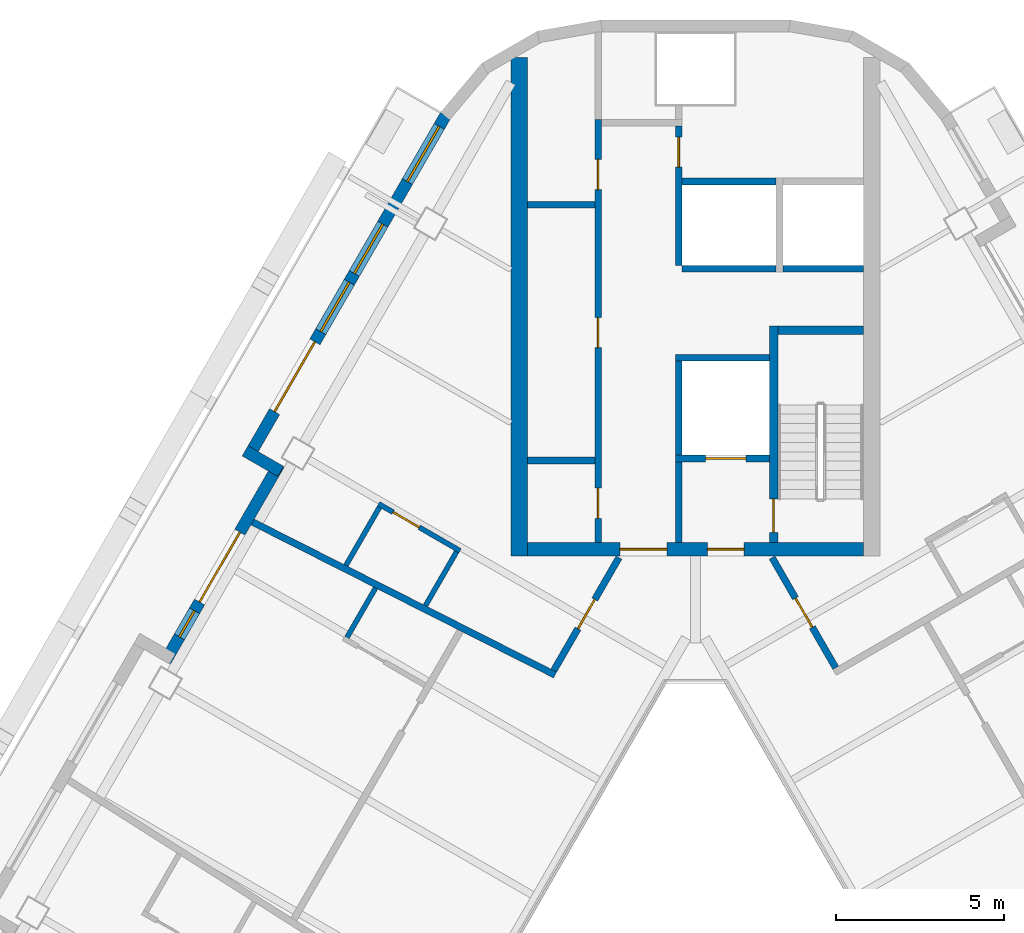
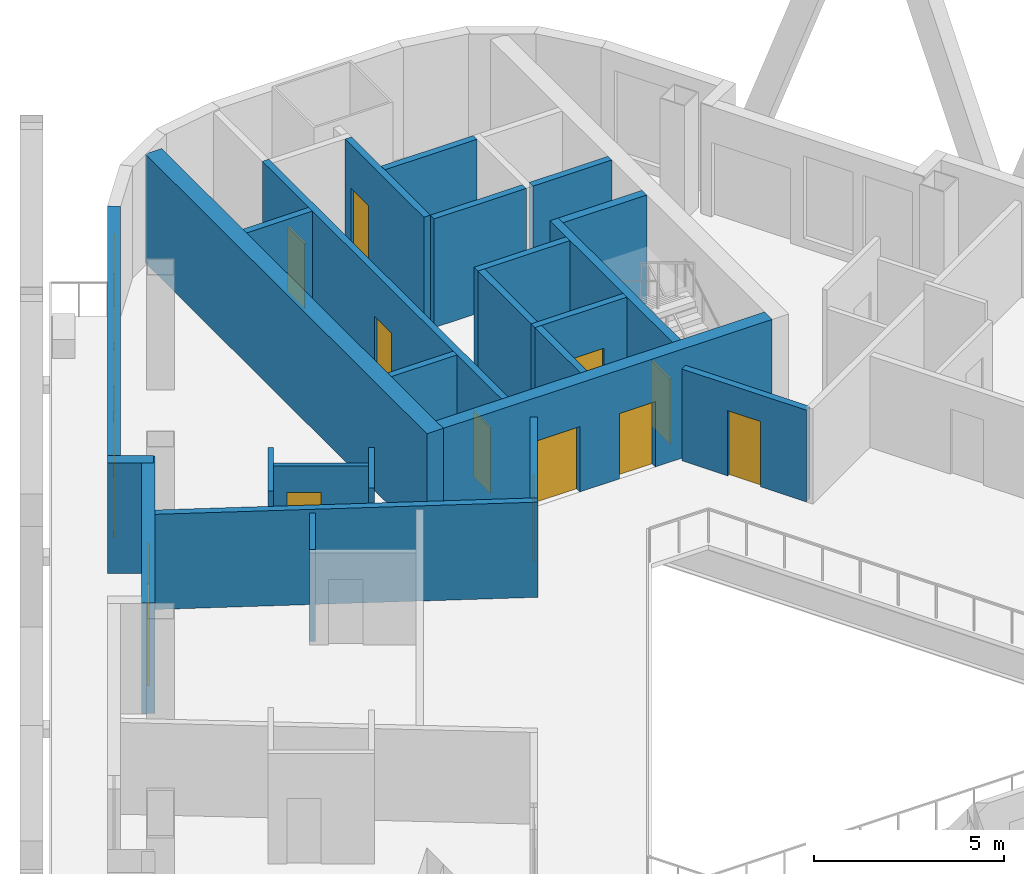
# One storey, part 6 of 13: 25 walls, 13 doors, 4 windows, 17 openings.
"""IFC4 building model written with IfcOpenShell, lengths in metres."""

from ifc_helpers import new_model, si_unit, direction, frame, frame_2d, origin, place, context, subcontext, project, spatial, rectangle, extrude, material, layer, layer_set, type_object, element, fill, save


model = new_model("IFC4")

# Units and contexts
model_context = context("Model", 3, precision=1e-05, world=origin(), true_north=direction((0.0, 1.0)))
body_context = subcontext(model_context, "Body", "Model", "MODEL_VIEW")
ifc_project = project(units=[si_unit("LENGTHUNIT", "METRE"), si_unit("AREAUNIT", "SQUARE_METRE"), si_unit("VOLUMEUNIT", "CUBIC_METRE"), si_unit("PLANEANGLEUNIT", "RADIAN"), si_unit("MASSUNIT", "GRAM", prefix="KILO")], contexts=[model_context])

# Site, building, storey
site_placement = place(None, origin())
site = spatial("IfcSite", under=ifc_project, at=site_placement, CompositionType="ELEMENT")
building_placement = place(site_placement, origin())
building = spatial("IfcBuilding", under=site, at=building_placement, Name="Apuvela Tower Hotel", CompositionType="ELEMENT")
storey_placement = place(building_placement, frame((0.0, 0.0, 191.0)))
storey = spatial("IfcBuildingStorey", under=building, at=storey_placement, Name="L46", CompositionType="ELEMENT", Elevation=191.0)

# Wall, openings, doors
ifc_material_1 = material(Name="Concrete C50/60", Category="concrete")
ifc_layer_1 = layer(ifc_material_1, 0.39990234375)
ifc_layer_set_1 = layer_set([ifc_layer_1], Name="COR-WALL-CORE-400")
wall_type_1 = type_object("IfcWallType", Name="COR-WALL-CORE-400", PredefinedType="SHEAR", material=ifc_layer_set_1)
wall_1_placement = place(storey_placement, frame((5.0, 13.10009765625, 0.0), z_axis=(0.0, 0.0, 1.0), x_axis=(-1.0, 0.0, 0.0)))
wall_1 = element("IfcWall", 1, at=wall_1_placement, inside=storey, type_object=wall_type_1, Name="Core wall N", PredefinedType="SHEAR", context=body_context, shape_type="SweptSolid", body=[
    extrude(rectangle(XDim=10.0, YDim=0.39990234375, at=frame_2d((5.0, 0.0))), origin(), (0.0, 0.0, 1.0), 3.5),
])
opening_1_placement = place(wall_1_placement, frame((3.550048828125, 0.0, 0.0)))
opening_1 = element("IfcOpeningElement", 2, at=opening_1_placement, cuts=wall_1, Name="Opening N-FD", PredefinedType="OPENING", context=body_context, shape_type="SweptSolid", body=[
    extrude(rectangle(XDim=1.10009765625, YDim=2.10009765625, at=frame_2d((0.550048828125, 1.050048828125))), frame((0.0, 0.2099609375, 0.0), z_axis=(0.0, -1.0, 0.0), x_axis=(1.0, 0.0, 0.0)), (0.0, 0.0, 1.0), 0.419921875),
])
opening_2_placement = place(wall_1_placement, frame((5.85009765625, 0.0, 0.0)))
opening_2 = element("IfcOpeningElement", 3, at=opening_2_placement, cuts=wall_1, Name="Opening N-GD", PredefinedType="OPENING", context=body_context, shape_type="SweptSolid", body=[
    extrude(rectangle(XDim=1.39990234375, YDim=2.10009765625, at=frame_2d((0.699951171875, 1.050048828125))), frame((0.0, 0.2099609375, 0.0), z_axis=(0.0, -1.0, 0.0), x_axis=(1.0, 0.0, 0.0)), (0.0, 0.0, 1.0), 0.419921875),
])
ifc_material_2 = material(Name="Steel fire door, powder coated", Category="steel")
door_type_1 = type_object("IfcDoorType", Name="COR-FD-1100", OperationType="NOTDEFINED", PredefinedType="DOOR", material=ifc_material_2)
door_1_placement = place(opening_1_placement, frame((1.10009765625, 0.0, 0.0), z_axis=(0.0, 0.0, 1.0), x_axis=(-1.0, 0.0, 0.0)))
door_1 = element("IfcDoor", 4, at=door_1_placement, inside=storey, type_object=door_type_1, Name="Firefighting lobby door N-FD", OperationType="SINGLE_SWING_LEFT", OverallHeight=2.10009765625, OverallWidth=1.10009765625, PredefinedType="DOOR", context=body_context, shape_type="SweptSolid", body=[
    extrude(rectangle(XDim=1.10009765625, YDim=2.10009765625, at=frame_2d((0.550048828125, 1.050048828125))), frame((0.0, 0.02490234375, 0.0), z_axis=(0.0, -1.0, 0.0), x_axis=(1.0, 0.0, 0.0)), (0.0, 0.0, 1.0), 0.050048828125),
])
fill(opening_1, door_1)
ifc_material_3 = material(Name="Glazed steel fire door", Category="steel")
door_type_2 = type_object("IfcDoorType", Name="COR-GD-1400", OperationType="DOUBLE_DOOR_SINGLE_SWING", PredefinedType="DOOR", material=ifc_material_3)
door_2_placement = place(opening_2_placement, frame((1.39990234375, 0.0, 0.0), z_axis=(0.0, 0.0, 1.0), x_axis=(-1.0, 0.0, 0.0)))
door_2 = element("IfcDoor", 5, at=door_2_placement, inside=storey, type_object=door_type_2, Name="Lift lobby door N-GD", OperationType="DOUBLE_DOOR_SINGLE_SWING", OverallHeight=2.10009765625, OverallWidth=1.39990234375, PredefinedType="DOOR", context=body_context, shape_type="SweptSolid", body=[
    extrude(rectangle(XDim=1.39990234375, YDim=2.10009765625, at=frame_2d((0.699951171875, 1.050048828125))), frame((0.0, 0.02490234375, 0.0), z_axis=(0.0, -1.0, 0.0), x_axis=(1.0, 0.0, 0.0)), (0.0, 0.0, 1.0), 0.050048828125),
])
fill(opening_2, door_2)

# Walls
ifc_layer_2 = layer(ifc_material_1, 0.5)
ifc_layer_set_2 = layer_set([ifc_layer_2], Name="COR-WALL-CORE-500")
wall_type_2 = type_object("IfcWallType", Name="COR-WALL-CORE-500", PredefinedType="SHEAR", material=ifc_layer_set_2)
wall_2_placement = place(storey_placement, frame((-5.25, 12.89990234375, 0.0), z_axis=(0.0, 0.0, 1.0), x_axis=(0.0, 1.0, 0.0)))
element("IfcWall", 6, at=wall_2_placement, inside=storey, type_object=wall_type_2, Name="Core wall N", PredefinedType="SHEAR", context=body_context, shape_type="SweptSolid", body=[
    extrude(rectangle(XDim=14.8369140625, YDim=0.5, at=frame_2d((7.41845703125, 0.0))), origin(), (0.0, 0.0, 1.0), 3.5),
])
ifc_material_4 = material(Name="Blockwork 200 mm plastered", Category="masonry")
ifc_layer_3 = layer(ifc_material_4, 0.199951171875)
ifc_layer_set_3 = layer_set([ifc_layer_3], Name="COR-WALL-PART-200")
wall_type_3 = type_object("IfcWallType", Name="COR-WALL-PART-200", PredefinedType="PARTITIONING", material=ifc_layer_set_3)
wall_3_placement = place(storey_placement, frame((5.0, 21.449951171875, 0.0), z_axis=(0.0, 0.0, 1.0), x_axis=(-1.0, 0.0, 0.0)))
element("IfcWall", 7, at=wall_3_placement, inside=storey, type_object=wall_type_3, Name="Partition N", PredefinedType="PARTITIONING", context=body_context, shape_type="SweptSolid", body=[
    extrude(rectangle(XDim=2.39990234375, YDim=0.199951171875, at=frame_2d((1.199951171875, 0.0))), origin(), (0.0, 0.0, 1.0), 3.5),
])
wall_4_placement = place(storey_placement, frame((2.39990234375, 21.449951171875, 0.0), z_axis=(0.0, 0.0, 1.0), x_axis=(-1.0, 0.0, 0.0)))
element("IfcWall", 8, at=wall_4_placement, inside=storey, type_object=wall_type_3, Name="Partition N", PredefinedType="PARTITIONING", context=body_context, shape_type="SweptSolid", body=[
    extrude(rectangle(XDim=2.7998046875, YDim=0.199951171875, at=frame_2d((1.39990234375, 0.0))), origin(), (0.0, 0.0, 1.0), 3.5),
])
ifc_layer_4 = layer(ifc_material_1, 0.199951171875)
ifc_layer_set_4 = layer_set([ifc_layer_4], Name="COR-WALL-SHAFT-200")
wall_type_4 = type_object("IfcWallType", Name="COR-WALL-SHAFT-200", PredefinedType="SHEAR", material=ifc_layer_set_4)
wall_5_placement = place(storey_placement, frame((2.199951171875, 18.800048828125, 0.0), z_axis=(0.0, 0.0, 1.0), x_axis=(-1.0, 0.0, 0.0)))
element("IfcWall", 9, at=wall_5_placement, inside=storey, type_object=wall_type_4, Name="Shaft wall N", PredefinedType="SHEAR", context=body_context, shape_type="SweptSolid", body=[
    extrude(rectangle(XDim=2.800048828125, YDim=0.199951171875, at=frame_2d((1.39990234375, 0.0))), origin(), (0.0, 0.0, 1.0), 3.5),
])

# Wall, opening, door
wall_6_placement = place(storey_placement, frame((2.199951171875, 15.800048828125, 0.0), z_axis=(0.0, 0.0, 1.0), x_axis=(-1.0, 0.0, 0.0)))
wall_6 = element("IfcWall", 10, at=wall_6_placement, inside=storey, type_object=wall_type_4, Name="Shaft wall N", PredefinedType="SHEAR", context=body_context, shape_type="SweptSolid", body=[
    extrude(rectangle(XDim=2.800048828125, YDim=0.199951171875, at=frame_2d((1.39990234375, 0.0))), origin(), (0.0, 0.0, 1.0), 3.5),
])
opening_3_placement = place(wall_6_placement, frame((0.699951171875, 0.0, 0.0)))
opening_3 = element("IfcOpeningElement", 11, at=opening_3_placement, cuts=wall_6, Name="Opening N-LD-FS1", PredefinedType="OPENING", context=body_context, shape_type="SweptSolid", body=[
    extrude(rectangle(XDim=1.199951171875, YDim=2.10009765625, at=frame_2d((0.60009765625, 1.050048828125))), frame((0.0, 0.10986328125, 0.0), z_axis=(0.0, -1.0, 0.0), x_axis=(1.0, 0.0, 0.0)), (0.0, 0.0, 1.0), 0.219970703125),
])
ifc_material_5 = material(Name="Stainless steel lift landing door", Category="steel")
door_type_3 = type_object("IfcDoorType", Name="COR-LD-1200", OperationType="DOUBLE_DOOR_SLIDING", PredefinedType="DOOR", material=ifc_material_5)
door_3_placement = place(opening_3_placement, origin())
door_3 = element("IfcDoor", 12, at=door_3_placement, inside=storey, type_object=door_type_3, Name="Lift landing door N-LD-FS1", OperationType="DOUBLE_DOOR_SLIDING", OverallHeight=2.10009765625, OverallWidth=1.199951171875, PredefinedType="DOOR", context=body_context, shape_type="SweptSolid", body=[
    extrude(rectangle(XDim=1.199951171875, YDim=2.10009765625, at=frame_2d((0.60009765625, 1.050048828125))), frame((0.0, 0.02490234375, 0.0), z_axis=(0.0, -1.0, 0.0), x_axis=(1.0, 0.0, 0.0)), (0.0, 0.0, 1.0), 0.050048828125),
])
fill(opening_3, door_3)

# Walls
wall_7_placement = place(storey_placement, frame((-0.5, 15.89990234375, 0.0), z_axis=(0.0, 0.0, 1.0), x_axis=(0.0, 1.0, 0.0)))
element("IfcWall", 13, at=wall_7_placement, inside=storey, type_object=wall_type_4, Name="Shaft wall N", PredefinedType="SHEAR", context=body_context, shape_type="SweptSolid", body=[
    extrude(rectangle(XDim=2.800048828125, YDim=0.199951171875, at=frame_2d((1.39990234375, 0.0))), origin(), (0.0, 0.0, 1.0), 3.5),
])
wall_8_placement = place(storey_placement, frame((-0.5, 13.300048828125, 0.0), z_axis=(0.0, 0.0, 1.0), x_axis=(0.0, 1.0, 0.0)))
element("IfcWall", 14, at=wall_8_placement, inside=storey, type_object=wall_type_4, Name="Shaft wall N", PredefinedType="SHEAR", context=body_context, shape_type="SweptSolid", body=[
    extrude(rectangle(XDim=2.39990234375, YDim=0.199951171875, at=frame_2d((1.199951171875, 0.0))), origin(), (0.0, 0.0, 1.0), 3.5),
])

# Wall, openings, doors
wall_9_placement = place(storey_placement, frame((-2.89990234375, 13.300048828125, 0.0), z_axis=(0.0, 0.0, 1.0), x_axis=(0.0, 1.0, 0.0)))
wall_9 = element("IfcWall", 15, at=wall_9_placement, inside=storey, type_object=wall_type_4, Name="Shaft wall N", PredefinedType="SHEAR", context=body_context, shape_type="SweptSolid", body=[
    extrude(rectangle(XDim=12.599853515625, YDim=0.199951171875, at=frame_2d((6.2998046875, 0.0))), origin(), (0.0, 0.0, 1.0), 3.5),
])
opening_4_placement = place(wall_9_placement, frame((0.719970703125, 0.0, 0.0)))
opening_4 = element("IfcOpeningElement", 16, at=opening_4_placement, cuts=wall_9, Name="Opening N-RE1", PredefinedType="OPENING", context=body_context, shape_type="SweptSolid", body=[
    extrude(rectangle(XDim=0.89990234375, YDim=2.10009765625, at=frame_2d((0.449951171875, 1.050048828125))), frame((0.0, 0.10986328125, 0.0), z_axis=(0.0, -1.0, 0.0), x_axis=(1.0, 0.0, 0.0)), (0.0, 0.0, 1.0), 0.219970703125),
])
opening_5_placement = place(wall_9_placement, frame((5.800048828125, 0.0, 0.0)))
opening_5 = element("IfcOpeningElement", 17, at=opening_5_placement, cuts=wall_9, Name="Opening N-RE2", PredefinedType="OPENING", context=body_context, shape_type="SweptSolid", body=[
    extrude(rectangle(XDim=0.89990234375, YDim=2.10009765625, at=frame_2d((0.449951171875, 1.050048828125))), frame((0.0, 0.10986328125, 0.0), z_axis=(0.0, -1.0, 0.0), x_axis=(1.0, 0.0, 0.0)), (0.0, 0.0, 1.0), 0.219970703125),
])
opening_6_placement = place(wall_9_placement, frame((10.510009765625, 0.0, 0.0)))
opening_6 = element("IfcOpeningElement", 18, at=opening_6_placement, cuts=wall_9, Name="Opening N-REP", PredefinedType="OPENING", context=body_context, shape_type="SweptSolid", body=[
    extrude(rectangle(XDim=0.89990234375, YDim=2.10009765625, at=frame_2d((0.449951171875, 1.050048828125))), frame((0.0, 0.10986328125, 0.0), z_axis=(0.0, -1.0, 0.0), x_axis=(1.0, 0.0, 0.0)), (0.0, 0.0, 1.0), 0.219970703125),
])
door_type_4 = type_object("IfcDoorType", Name="COR-DR-900", OperationType="NOTDEFINED", PredefinedType="DOOR", material=ifc_material_2)
door_4_placement = place(opening_4_placement, origin())
door_4 = element("IfcDoor", 19, at=door_4_placement, inside=storey, type_object=door_type_4, Name="Store door N-RE1", OperationType="SINGLE_SWING_LEFT", OverallHeight=2.10009765625, OverallWidth=0.89990234375, PredefinedType="DOOR", context=body_context, shape_type="SweptSolid", body=[
    extrude(rectangle(XDim=0.89990234375, YDim=2.10009765625, at=frame_2d((0.449951171875, 1.050048828125))), frame((0.0, 0.02490234375, 0.0), z_axis=(0.0, -1.0, 0.0), x_axis=(1.0, 0.0, 0.0)), (0.0, 0.0, 1.0), 0.050048828125),
])
fill(opening_4, door_4)
door_5_placement = place(opening_5_placement, origin())
door_5 = element("IfcDoor", 20, at=door_5_placement, inside=storey, type_object=door_type_4, Name="Store door N-RE2", OperationType="SINGLE_SWING_RIGHT", OverallHeight=2.10009765625, OverallWidth=0.89990234375, PredefinedType="DOOR", context=body_context, shape_type="SweptSolid", body=[
    extrude(rectangle(XDim=0.89990234375, YDim=2.10009765625, at=frame_2d((0.449951171875, 1.050048828125))), frame((0.0, 0.02490234375, 0.0), z_axis=(0.0, -1.0, 0.0), x_axis=(1.0, 0.0, 0.0)), (0.0, 0.0, 1.0), 0.050048828125),
])
fill(opening_5, door_5)
door_6_placement = place(opening_6_placement, origin())
door_6 = element("IfcDoor", 21, at=door_6_placement, inside=storey, type_object=door_type_4, Name="Store door N-REP", OperationType="SINGLE_SWING_RIGHT", OverallHeight=2.10009765625, OverallWidth=0.89990234375, PredefinedType="DOOR", context=body_context, shape_type="SweptSolid", body=[
    extrude(rectangle(XDim=0.89990234375, YDim=2.10009765625, at=frame_2d((0.449951171875, 1.050048828125))), frame((0.0, 0.02490234375, 0.0), z_axis=(0.0, -1.0, 0.0), x_axis=(1.0, 0.0, 0.0)), (0.0, 0.0, 1.0), 0.050048828125),
])
fill(opening_6, door_6)

# Wall, opening, door
wall_10_placement = place(storey_placement, frame((-0.5, 21.550048828125, 0.0), z_axis=(0.0, 0.0, 1.0), x_axis=(0.0, 1.0, 0.0)))
wall_10 = element("IfcWall", 22, at=wall_10_placement, inside=storey, type_object=wall_type_4, Name="Shaft wall N", PredefinedType="SHEAR", context=body_context, shape_type="SweptSolid", body=[
    extrude(rectangle(XDim=4.14990234375, YDim=0.199951171875, at=frame_2d((2.074951171875, 0.0))), origin(), (0.0, 0.0, 1.0), 3.5),
])
opening_7_placement = place(wall_10_placement, frame((2.925048828125, 0.0, 0.0)))
opening_7 = element("IfcOpeningElement", 23, at=opening_7_placement, cuts=wall_10, Name="Opening N-RSP", PredefinedType="OPENING", context=body_context, shape_type="SweptSolid", body=[
    extrude(rectangle(XDim=0.89990234375, YDim=2.10009765625, at=frame_2d((0.449951171875, 1.050048828125))), frame((0.0, 0.10986328125, 0.0), z_axis=(0.0, -1.0, 0.0), x_axis=(1.0, 0.0, 0.0)), (0.0, 0.0, 1.0), 0.219970703125),
])
door_7_placement = place(opening_7_placement, frame((0.89990234375, 0.0, 0.0), z_axis=(0.0, 0.0, 1.0), x_axis=(-1.0, 0.0, 0.0)))
door_7 = element("IfcDoor", 24, at=door_7_placement, inside=storey, type_object=door_type_4, Name="Store door N-RSP", OperationType="SINGLE_SWING_LEFT", OverallHeight=2.10009765625, OverallWidth=0.89990234375, PredefinedType="DOOR", context=body_context, shape_type="SweptSolid", body=[
    extrude(rectangle(XDim=0.89990234375, YDim=2.10009765625, at=frame_2d((0.449951171875, 1.050048828125))), frame((0.0, 0.02490234375, 0.0), z_axis=(0.0, -1.0, 0.0), x_axis=(1.0, 0.0, 0.0)), (0.0, 0.0, 1.0), 0.050048828125),
])
fill(opening_7, door_7)

# Walls
for number, where, z_axis, x_axis, name in (
    (25, (-3.0, 15.739990234375, 0.0), (0.0, 0.0, 1.0), (-1.0, 0.0, 0.0), "Shaft wall N"),
    (26, (-3.0, 23.360107421875, 0.0), (0.0, 0.0, 1.0), (-1.0, 0.0, 0.0), "Shaft wall N"),
):
    element("IfcWall", number, at=place(storey_placement, frame(where, z_axis=z_axis, x_axis=x_axis)), inside=storey, type_object=wall_type_4, Name=name, PredefinedType="SHEAR", context=body_context, shape_type="SweptSolid", body=[
        extrude(rectangle(XDim=2.0, YDim=0.199951171875, at=frame_2d((1.0, 0.0))), origin(), (0.0, 0.0, 1.0), 3.5),
    ])
wall_11_placement = place(storey_placement, frame((2.39990234375, 24.050048828125, 0.0), z_axis=(0.0, 0.0, 1.0), x_axis=(-1.0, 0.0, 0.0)))
element("IfcWall", 27, at=wall_11_placement, inside=storey, type_object=wall_type_4, Name="Shaft wall N", PredefinedType="SHEAR", context=body_context, shape_type="SweptSolid", body=[
    extrude(rectangle(XDim=2.7998046875, YDim=0.199951171875, at=frame_2d((1.39990234375, 0.0))), origin(), (0.0, 0.0, 1.0), 3.5),
])

# Wall, opening, door
ifc_layer_5 = layer(ifc_material_1, 0.25)
ifc_layer_set_5 = layer_set([ifc_layer_5], Name="COR-WALL-STAIR-250")
wall_type_5 = type_object("IfcWallType", Name="COR-WALL-STAIR-250", PredefinedType="SHEAR", material=ifc_layer_set_5)
wall_12_placement = place(storey_placement, frame((2.324951171875, 13.300048828125, 0.0), z_axis=(0.0, 0.0, 1.0), x_axis=(0.0, 1.0, 0.0)))
wall_12 = element("IfcWall", 28, at=wall_12_placement, inside=storey, type_object=wall_type_5, Name="Stair wall N", PredefinedType="SHEAR", context=body_context, shape_type="SweptSolid", body=[
    extrude(rectangle(XDim=6.449951171875, YDim=0.25, at=frame_2d((3.22509765625, 0.0))), origin(), (0.0, 0.0, 1.0), 3.5),
])
opening_8_placement = place(wall_12_placement, frame((0.300048828125, 0.0, 0.0)))
opening_8 = element("IfcOpeningElement", 29, at=opening_8_placement, cuts=wall_12, Name="Opening N-SD", PredefinedType="OPENING", context=body_context, shape_type="SweptSolid", body=[
    extrude(rectangle(XDim=1.0, YDim=2.10009765625, at=frame_2d((0.5, 1.050048828125))), frame((0.0, 0.135009765625, 0.0), z_axis=(0.0, -1.0, 0.0), x_axis=(1.0, 0.0, 0.0)), (0.0, 0.0, 1.0), 0.27001953125),
])
door_type_5 = type_object("IfcDoorType", Name="COR-SD-1000", OperationType="NOTDEFINED", PredefinedType="DOOR", material=ifc_material_2)
door_8_placement = place(opening_8_placement, frame((1.0, 0.0, 0.0), z_axis=(0.0, 0.0, 1.0), x_axis=(-1.0, 0.0, 0.0)))
door_8 = element("IfcDoor", 30, at=door_8_placement, inside=storey, type_object=door_type_5, Name="Stair door N-SD", OperationType="SINGLE_SWING_LEFT", OverallHeight=2.10009765625, OverallWidth=1.0, PredefinedType="DOOR", context=body_context, shape_type="SweptSolid", body=[
    extrude(rectangle(XDim=1.0, YDim=2.10009765625, at=frame_2d((0.5, 1.050048828125))), frame((0.0, 0.02490234375, 0.0), z_axis=(0.0, -1.0, 0.0), x_axis=(1.0, 0.0, 0.0)), (0.0, 0.0, 1.0), 0.050048828125),
])
fill(opening_8, door_8)

# Wall
wall_13_placement = place(storey_placement, frame((5.0, 19.625, 0.0), z_axis=(0.0, 0.0, 1.0), x_axis=(-1.0, 0.0, 0.0)))
element("IfcWall", 31, at=wall_13_placement, inside=storey, type_object=wall_type_5, Name="Stair wall N", PredefinedType="SHEAR", context=body_context, shape_type="SweptSolid", body=[
    extrude(rectangle(XDim=2.550048828125, YDim=0.25, at=frame_2d((1.27490234375, 0.0))), origin(), (0.0, 0.0, 1.0), 3.5),
])

# Wall, openings, door, windows
ifc_material_6 = material(Name="Concrete C40/50, dark pigmented precast panel", Category="concrete")
ifc_layer_6 = layer(ifc_material_6, 0.35009765625)
ifc_layer_set_6 = layer_set([ifc_layer_6], Name="ENV-WALL-350")
wall_type_6 = type_object("IfcWallType", Name="ENV-WALL-350", PredefinedType="SOLIDWALL", material=ifc_layer_set_6)
wall_14_placement = place(storey_placement, frame((-7.440673828125, 26.0224609375, 0.0), z_axis=(0.0, 0.0, 1.0), x_axis=(-0.499992533062, -0.86602971478, 0.0)))
wall_14 = element("IfcWall", 32, at=wall_14_placement, inside=storey, type_object=wall_type_6, Name="External wall L46-01", PredefinedType="SOLIDWALL", context=body_context, shape_type="SweptSolid", body=[
    extrude(rectangle(XDim=11.815673828125, YDim=0.35009765625, at=frame_2d((5.90771484375, 0.0))), origin(), (0.0, 0.0, 1.0), 3.550048828125),
])
opening_9_placement = place(wall_14_placement, frame((0.381103515625, 0.0, 0.300048828125)))
opening_9 = element("IfcOpeningElement", 33, at=opening_9_placement, cuts=wall_14, Name="Opening WN19", PredefinedType="OPENING", context=body_context, shape_type="SweptSolid", body=[
    extrude(rectangle(XDim=1.89990234375, YDim=2.64990234375, at=frame_2d((0.949951171875, 1.324951171875))), frame((0.0, 0.18505859375, 0.0), z_axis=(0.0, -1.0, 0.0), x_axis=(1.0, 0.0, 0.0)), (0.0, 0.0, 1.0), 0.3701171875),
])
opening_10_placement = place(wall_14_placement, frame((7.79052734375, 0.0, 0.0)))
opening_10 = element("IfcOpeningElement", 34, at=opening_10_placement, cuts=wall_14, Name="Opening BD24", PredefinedType="OPENING", context=body_context, shape_type="SweptSolid", body=[
    extrude(rectangle(XDim=2.39990234375, YDim=2.39990234375, at=frame_2d((1.199951171875, 1.199951171875))), frame((0.0, 0.18505859375, 0.0), z_axis=(0.0, -1.0, 0.0), x_axis=(1.0, 0.0, 0.0)), (0.0, 0.0, 1.0), 0.3701171875),
])
opening_11_placement = place(wall_14_placement, frame((3.7412109375, 0.0, 0.300048828125)))
opening_11 = element("IfcOpeningElement", 35, at=opening_11_placement, cuts=wall_14, Name="Opening WN17", PredefinedType="OPENING", context=body_context, shape_type="SweptSolid", body=[
    extrude(rectangle(XDim=1.699951171875, YDim=2.64990234375, at=frame_2d((0.85009765625, 1.324951171875))), frame((0.0, 0.18505859375, 0.0), z_axis=(0.0, -1.0, 0.0), x_axis=(1.0, 0.0, 0.0)), (0.0, 0.0, 1.0), 0.3701171875),
])
opening_12_placement = place(wall_14_placement, frame((5.7412109375, 0.0, 0.300048828125)))
opening_12 = element("IfcOpeningElement", 36, at=opening_12_placement, cuts=wall_14, Name="Opening WN17", PredefinedType="OPENING", context=body_context, shape_type="SweptSolid", body=[
    extrude(rectangle(XDim=1.699951171875, YDim=2.64990234375, at=frame_2d((0.85009765625, 1.324951171875))), frame((0.0, 0.18505859375, 0.0), z_axis=(0.0, -1.0, 0.0), x_axis=(1.0, 0.0, 0.0)), (0.0, 0.0, 1.0), 0.3701171875),
])
ifc_material_7 = material(Name="Aluminium 6063-T6, dark bronze anodised frame with dark tinted laminated glass", Category="aluminium")
door_type_6 = type_object("IfcDoorType", Name="ENV-DOOR-BALCONY-2400x2400", OperationType="SLIDING_TO_LEFT", PredefinedType="DOOR", material=ifc_material_7)
door_9_placement = place(opening_10_placement, frame((2.39990234375, 0.0, 0.0), z_axis=(0.0, 0.0, 1.0), x_axis=(-1.0, 0.0, 0.0)))
door_9 = element("IfcDoor", 37, at=door_9_placement, inside=storey, type_object=door_type_6, Name="Balcony door BD24", OperationType="SLIDING_TO_LEFT", OverallHeight=2.39990234375, OverallWidth=2.39990234375, PredefinedType="DOOR", context=body_context, shape_type="SweptSolid", body=[
    extrude(rectangle(XDim=2.39990234375, YDim=2.39990234375, at=frame_2d((1.199951171875, 1.199951171875))), frame((0.0, 0.02490234375, 0.0), z_axis=(0.0, -1.0, 0.0), x_axis=(1.0, 0.0, 0.0)), (0.0, 0.0, 1.0), 0.050048828125),
])
fill(opening_10, door_9)
ifc_material_8 = material(Name="Glass, dark tinted laminated insulated glazing unit", Category="glass")
window_type_1 = type_object("IfcWindowType", Name="ENV-WIN-1700x2650", PartitioningType="SINGLE_PANEL", PredefinedType="WINDOW", material=ifc_material_8)
window_1_placement = place(opening_11_placement, origin())
window_1 = element("IfcWindow", 38, at=window_1_placement, inside=storey, type_object=window_type_1, Name="Window WN17", OverallHeight=2.64990234375, OverallWidth=1.699951171875, PartitioningType="SINGLE_PANEL", PredefinedType="WINDOW", context=body_context, shape_type="SweptSolid", body=[
    extrude(rectangle(XDim=1.699951171875, YDim=2.64990234375, at=frame_2d((0.85009765625, 1.324951171875))), frame((0.0, 0.030029296875, 0.0), z_axis=(0.0, -1.0, 0.0), x_axis=(1.0, 0.0, 0.0)), (0.0, 0.0, 1.0), 0.06005859375),
])
fill(opening_11, window_1)
window_2_placement = place(opening_12_placement, origin())
window_2 = element("IfcWindow", 39, at=window_2_placement, inside=storey, type_object=window_type_1, Name="Window WN17", OverallHeight=2.64990234375, OverallWidth=1.699951171875, PartitioningType="SINGLE_PANEL", PredefinedType="WINDOW", context=body_context, shape_type="SweptSolid", body=[
    extrude(rectangle(XDim=1.699951171875, YDim=2.64990234375, at=frame_2d((0.85009765625, 1.324951171875))), frame((0.0, 0.030029296875, 0.0), z_axis=(0.0, -1.0, 0.0), x_axis=(1.0, 0.0, 0.0)), (0.0, 0.0, 1.0), 0.06005859375),
])
fill(opening_12, window_2)
window_type_2 = type_object("IfcWindowType", Name="ENV-WIN-1900x2650", PartitioningType="SINGLE_PANEL", PredefinedType="WINDOW", material=ifc_material_8)
window_3_placement = place(opening_9_placement, origin())
window_3 = element("IfcWindow", 40, at=window_3_placement, inside=storey, type_object=window_type_2, Name="Window WN19", OverallHeight=2.64990234375, OverallWidth=1.89990234375, PartitioningType="SINGLE_PANEL", PredefinedType="WINDOW", context=body_context, shape_type="SweptSolid", body=[
    extrude(rectangle(XDim=1.89990234375, YDim=2.64990234375, at=frame_2d((0.949951171875, 1.324951171875))), frame((0.0, 0.030029296875, 0.0), z_axis=(0.0, -1.0, 0.0), x_axis=(1.0, 0.0, 0.0)), (0.0, 0.0, 1.0), 0.06005859375),
])
fill(opening_9, window_3)

# Wall
wall_15_placement = place(storey_placement, frame((-13.41259765625, 16.02880859375, 0.0), z_axis=(0.0, 0.0, 1.0), x_axis=(0.866005645448, -0.500034220881, 0.0)))
element("IfcWall", 41, at=wall_15_placement, inside=storey, type_object=wall_type_6, Name="External wall L46-02", PredefinedType="SOLIDWALL", context=body_context, shape_type="SweptSolid", body=[
    extrude(rectangle(XDim=1.22021484375, YDim=0.35009765625, at=frame_2d((0.610107421875, 0.0))), origin(), (0.0, 0.0, 1.0), 3.550048828125),
])

# Wall, openings, door, window
wall_16_placement = place(storey_placement, frame((-12.408935546875, 15.616943359375, 0.0), z_axis=(0.0, 0.0, 1.0), x_axis=(-0.500003597184, -0.866023326939, 0.0)))
wall_16 = element("IfcWall", 42, at=wall_16_placement, inside=storey, type_object=wall_type_6, Name="External wall L46-03", PredefinedType="SOLIDWALL", context=body_context, shape_type="SweptSolid", body=[
    extrude(rectangle(XDim=6.740234375, YDim=0.35009765625, at=frame_2d((3.3701171875, 0.0))), origin(), (0.0, 0.0, 1.0), 3.550048828125),
])
opening_13_placement = place(wall_16_placement, frame((2.320068359375, 0.0, 0.0)))
opening_13 = element("IfcOpeningElement", 43, at=opening_13_placement, cuts=wall_16, Name="Opening BD24", PredefinedType="OPENING", context=body_context, shape_type="SweptSolid", body=[
    extrude(rectangle(XDim=2.39990234375, YDim=2.39990234375, at=frame_2d((1.199951171875, 1.199951171875))), frame((0.0, 0.18505859375, 0.0), z_axis=(0.0, -1.0, 0.0), x_axis=(1.0, 0.0, 0.0)), (0.0, 0.0, 1.0), 0.3701171875),
])
opening_14_placement = place(wall_16_placement, frame((5.02001953125, 0.0, 0.300048828125)))
opening_14 = element("IfcOpeningElement", 44, at=opening_14_placement, cuts=wall_16, Name="Opening WN09", PredefinedType="OPENING", context=body_context, shape_type="SweptSolid", body=[
    extrude(rectangle(XDim=0.89990234375, YDim=2.64990234375, at=frame_2d((0.449951171875, 1.324951171875))), frame((0.0, 0.18505859375, 0.0), z_axis=(0.0, -1.0, 0.0), x_axis=(1.0, 0.0, 0.0)), (0.0, 0.0, 1.0), 0.3701171875),
])
door_10_placement = place(opening_13_placement, frame((2.39990234375, 0.0, 0.0), z_axis=(0.0, 0.0, 1.0), x_axis=(-1.0, 0.0, 0.0)))
door_10 = element("IfcDoor", 45, at=door_10_placement, inside=storey, type_object=door_type_6, Name="Balcony door BD24", OperationType="SLIDING_TO_LEFT", OverallHeight=2.39990234375, OverallWidth=2.39990234375, PredefinedType="DOOR", context=body_context, shape_type="SweptSolid", body=[
    extrude(rectangle(XDim=2.39990234375, YDim=2.39990234375, at=frame_2d((1.199951171875, 1.199951171875))), frame((0.0, 0.02490234375, 0.0), z_axis=(0.0, -1.0, 0.0), x_axis=(1.0, 0.0, 0.0)), (0.0, 0.0, 1.0), 0.050048828125),
])
fill(opening_13, door_10)
window_type_3 = type_object("IfcWindowType", Name="ENV-WIN-900x2650", PartitioningType="SINGLE_PANEL", PredefinedType="WINDOW", material=ifc_material_8)
window_4_placement = place(opening_14_placement, origin())
window_4 = element("IfcWindow", 46, at=window_4_placement, inside=storey, type_object=window_type_3, Name="Window WN09", OverallHeight=2.64990234375, OverallWidth=0.89990234375, PartitioningType="SINGLE_PANEL", PredefinedType="WINDOW", context=body_context, shape_type="SweptSolid", body=[
    extrude(rectangle(XDim=0.89990234375, YDim=2.64990234375, at=frame_2d((0.449951171875, 1.324951171875))), frame((0.0, 0.030029296875, 0.0), z_axis=(0.0, -1.0, 0.0), x_axis=(1.0, 0.0, 0.0)), (0.0, 0.0, 1.0), 0.06005859375),
])
fill(opening_14, window_4)

# Wall
ifc_material_9 = material(Name="Gypsum board partition on twin steel stud", Category="steel")
ifc_layer_7 = layer(ifc_material_9, 0.199951171875)
ifc_layer_set_7 = layer_set([ifc_layer_7], Name="GST-PW1")
wall_type_7 = type_object("IfcWallType", Name="GST-PW1", PredefinedType="PARTITIONING", material=ifc_layer_set_7)
wall_17_placement = place(storey_placement, frame((-13.1923828125, 13.909912109375, 0.0), z_axis=(0.0, 0.0, 1.0), x_axis=(0.892469554868, -0.451107629766, 0.0)))
element("IfcWall", 47, at=wall_17_placement, inside=storey, type_object=wall_type_7, Name="L46 partition 05", PredefinedType="PARTITIONING", context=body_context, shape_type="SweptSolid", body=[
    extrude(rectangle(XDim=10.095703125, YDim=0.199951171875, at=frame_2d((5.0478515625, 0.0))), origin(), (0.0, 0.0, 1.0), 3.06005859375),
])

# Wall, opening, door
ifc_material_10 = material(Name="Gypsum board corridor wall on twin steel stud, acoustic", Category="steel")
ifc_layer_8 = layer(ifc_material_10, 0.199951171875)
ifc_layer_set_8 = layer_set([ifc_layer_8], Name="GST-PW2")
wall_type_8 = type_object("IfcWallType", Name="GST-PW2", PredefinedType="PARTITIONING", material=ifc_layer_set_8)
wall_18_placement = place(storey_placement, frame((2.280517578125, 12.85009765625, 0.0), z_axis=(0.0, 0.0, 1.0), x_axis=(0.499979074716, -0.866037484666, 0.0)))
wall_18 = element("IfcWall", 48, at=wall_18_placement, inside=storey, type_object=wall_type_8, Name="L46 partition 25", PredefinedType="PARTITIONING", context=body_context, shape_type="SweptSolid", body=[
    extrude(rectangle(XDim=3.788330078125, YDim=0.199951171875, at=frame_2d((1.89404296875, 0.0))), origin(), (0.0, 0.0, 1.0), 2.949951171875),
])
opening_15_placement = place(wall_18_placement, frame((1.39404296875, 0.0, 0.0)))
opening_15 = element("IfcOpeningElement", 49, at=opening_15_placement, cuts=wall_18, Name="Opening GD18-12", PredefinedType="OPENING", context=body_context, shape_type="SweptSolid", body=[
    extrude(rectangle(XDim=1.0, YDim=2.10009765625, at=frame_2d((0.5, 1.050048828125))), frame((0.0, 0.10986328125, 0.0), z_axis=(0.0, -1.0, 0.0), x_axis=(1.0, 0.0, 0.0)), (0.0, 0.0, 1.0), 0.219970703125),
])
ifc_material_11 = material(Name="Timber door leaf in steel frame", Category="steel")
door_type_7 = type_object("IfcDoorType", Name="GST-D1", OperationType="NOTDEFINED", PredefinedType="DOOR", material=ifc_material_11)
door_11_placement = place(opening_15_placement, origin())
door_11 = element("IfcDoor", 50, at=door_11_placement, inside=storey, type_object=door_type_7, Name="Door L46-12", OperationType="SINGLE_SWING_RIGHT", OverallHeight=2.10009765625, OverallWidth=1.0, PredefinedType="DOOR", context=body_context, shape_type="SweptSolid", body=[
    extrude(rectangle(XDim=1.0, YDim=2.10009765625, at=frame_2d((0.5, 1.050048828125))), frame((0.0, 0.02490234375, 0.0), z_axis=(0.0, -1.0, 0.0), x_axis=(1.0, 0.0, 0.0)), (0.0, 0.0, 1.0), 0.050048828125),
])
fill(opening_15, door_11)

wall_19_placement = place(storey_placement, frame((-4.2216796875, 9.48779296875, 0.0), z_axis=(0.0, 0.0, 1.0), x_axis=(0.49998736472, 0.866032698644, 0.0)))
wall_19 = element("IfcWall", 51, at=wall_19_placement, inside=storey, type_object=wall_type_8, Name="L46 partition 29", PredefinedType="PARTITIONING", context=body_context, shape_type="SweptSolid", body=[
    extrude(rectangle(XDim=3.88232421875, YDim=0.199951171875, at=frame_2d((1.941162109375, 0.0))), origin(), (0.0, 0.0, 1.0), 2.949951171875),
])
opening_16_placement = place(wall_19_placement, frame((1.44140625, 0.0, 0.0)))
opening_16 = element("IfcOpeningElement", 52, at=opening_16_placement, cuts=wall_19, Name="Opening GD18-14", PredefinedType="OPENING", context=body_context, shape_type="SweptSolid", body=[
    extrude(rectangle(XDim=1.0, YDim=2.10009765625, at=frame_2d((0.5, 1.050048828125))), frame((0.0, 0.10986328125, 0.0), z_axis=(0.0, -1.0, 0.0), x_axis=(1.0, 0.0, 0.0)), (0.0, 0.0, 1.0), 0.219970703125),
])
door_12_placement = place(opening_16_placement, origin())
door_12 = element("IfcDoor", 53, at=door_12_placement, inside=storey, type_object=door_type_7, Name="Door L46-14", OperationType="SINGLE_SWING_LEFT", OverallHeight=2.10009765625, OverallWidth=1.0, PredefinedType="DOOR", context=body_context, shape_type="SweptSolid", body=[
    extrude(rectangle(XDim=1.0, YDim=2.10009765625, at=frame_2d((0.5, 1.050048828125))), frame((0.0, 0.02490234375, 0.0), z_axis=(0.0, -1.0, 0.0), x_axis=(1.0, 0.0, 0.0)), (0.0, 0.0, 1.0), 0.050048828125),
])
fill(opening_16, door_12)

ifc_material_12 = material(Name="Moisture-resistant gypsum board wet wall on steel stud", Category="steel")
ifc_layer_9 = layer(ifc_material_12, 0.14990234375)
ifc_layer_set_9 = layer_set([ifc_layer_9], Name="GST-PW3")
wall_type_9 = type_object("IfcWallType", Name="GST-PW3", PredefinedType="PARTITIONING", material=ifc_layer_set_9)
wall_20_placement = place(storey_placement, frame((-7.013427734375, 13.052490234375, 0.0), z_axis=(0.0, 0.0, 1.0), x_axis=(-0.866034573852, 0.49998411664, 0.0)))
wall_20 = element("IfcWall", 54, at=wall_20_placement, inside=storey, type_object=wall_type_9, Name="L46 partition 30", PredefinedType="PARTITIONING", context=body_context, shape_type="SweptSolid", body=[
    extrude(rectangle(XDim=2.7998046875, YDim=0.14990234375, at=frame_2d((1.39990234375, 0.0))), origin(), (0.0, 0.0, 1.0), 2.949951171875),
])
opening_17_placement = place(wall_20_placement, frame((1.39990234375, 0.0, 0.0)))
opening_17 = element("IfcOpeningElement", 55, at=opening_17_placement, cuts=wall_20, Name="Opening GD18-13", PredefinedType="OPENING", context=body_context, shape_type="SweptSolid", body=[
    extrude(rectangle(XDim=0.89990234375, YDim=2.10009765625, at=frame_2d((0.449951171875, 1.050048828125))), frame((0.0, 0.0849609375, 0.0), z_axis=(0.0, -1.0, 0.0), x_axis=(1.0, 0.0, 0.0)), (0.0, 0.0, 1.0), 0.169921875),
])
door_type_8 = type_object("IfcDoorType", Name="GST-D2", OperationType="NOTDEFINED", PredefinedType="DOOR", material=ifc_material_11)
door_13_placement = place(opening_17_placement, origin())
door_13 = element("IfcDoor", 56, at=door_13_placement, inside=storey, type_object=door_type_8, Name="Door L46-13", OperationType="SINGLE_SWING_RIGHT", OverallHeight=2.10009765625, OverallWidth=0.89990234375, PredefinedType="DOOR", context=body_context, shape_type="SweptSolid", body=[
    extrude(rectangle(XDim=0.89990234375, YDim=2.10009765625, at=frame_2d((0.449951171875, 1.050048828125))), frame((0.0, 0.02490234375, 0.0), z_axis=(0.0, -1.0, 0.0), x_axis=(1.0, 0.0, 0.0)), (0.0, 0.0, 1.0), 0.050048828125),
])
fill(opening_17, door_13)

# Walls
wall_21_placement = place(storey_placement, frame((-9.410888671875, 14.349853515625, 0.0), z_axis=(0.0, 0.0, 1.0), x_axis=(-0.499982900776, -0.866035275801, 0.0)))
element("IfcWall", 57, at=wall_21_placement, inside=storey, type_object=wall_type_9, Name="L46 partition 31", PredefinedType="PARTITIONING", context=body_context, shape_type="SweptSolid", body=[
    extrude(rectangle(XDim=2.00146484375, YDim=0.14990234375, at=frame_2d((1.000732421875, 0.0))), origin(), (0.0, 0.0, 1.0), 3.550048828125),
])
wall_22_placement = place(storey_placement, frame((-7.115966796875, 13.02490234375, 0.0), z_axis=(0.0, 0.0, 1.0), x_axis=(-0.4999770169, -0.866038672677, 0.0)))
element("IfcWall", 58, at=wall_22_placement, inside=storey, type_object=wall_type_9, Name="L46 partition 32", PredefinedType="PARTITIONING", context=body_context, shape_type="SweptSolid", body=[
    extrude(rectangle(XDim=1.85400390625, YDim=0.14990234375, at=frame_2d((0.927001953125, 0.0))), origin(), (0.0, 0.0, 1.0), 3.550048828125),
])
wall_23_placement = place(storey_placement, frame((-9.528564453125, 11.946044921875, 0.0), z_axis=(0.0, 0.0, 1.0), x_axis=(-0.499942281444, -0.866058725044, 0.0)))
element("IfcWall", 59, at=wall_23_placement, inside=storey, type_object=wall_type_9, Name="L46 partition 35", PredefinedType="PARTITIONING", context=body_context, shape_type="SweptSolid", body=[
    extrude(rectangle(XDim=1.698486328125, YDim=0.14990234375, at=frame_2d((0.84912109375, 0.0))), origin(), (0.0, 0.0, 1.0), 2.949951171875),
])

save(model, "model.ifc")
